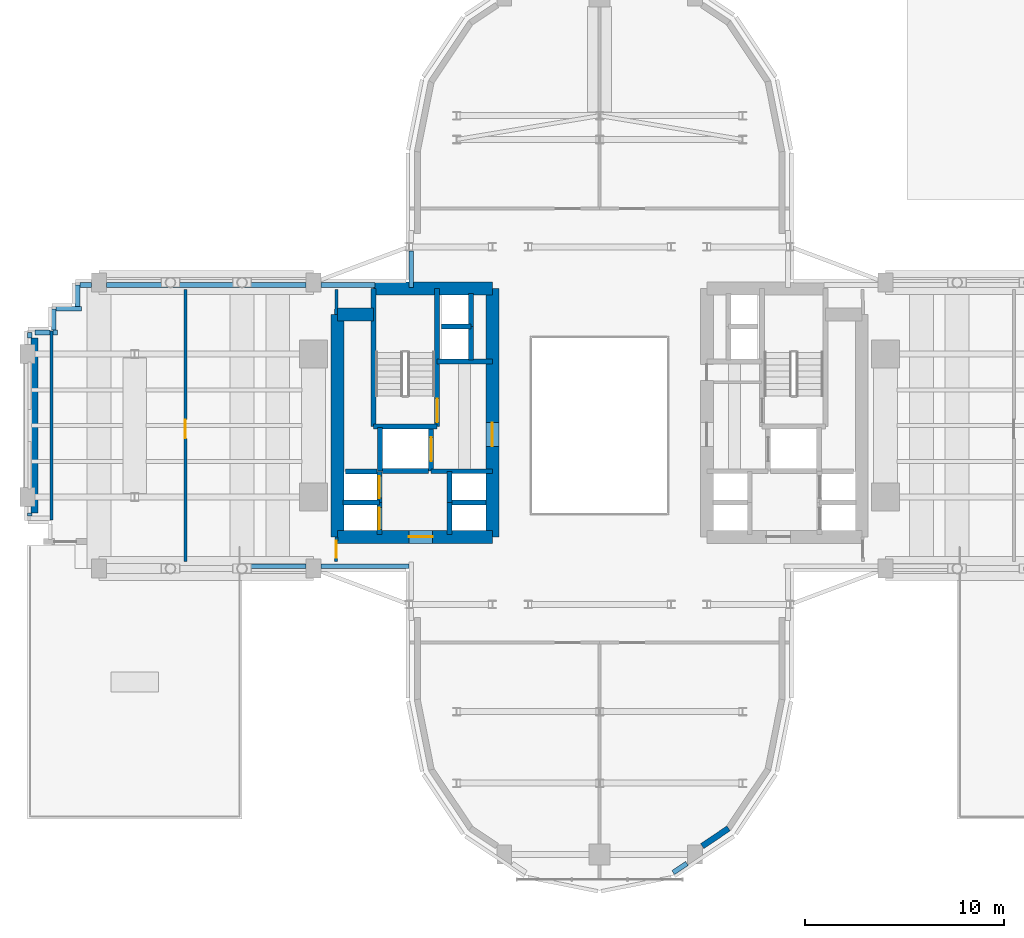
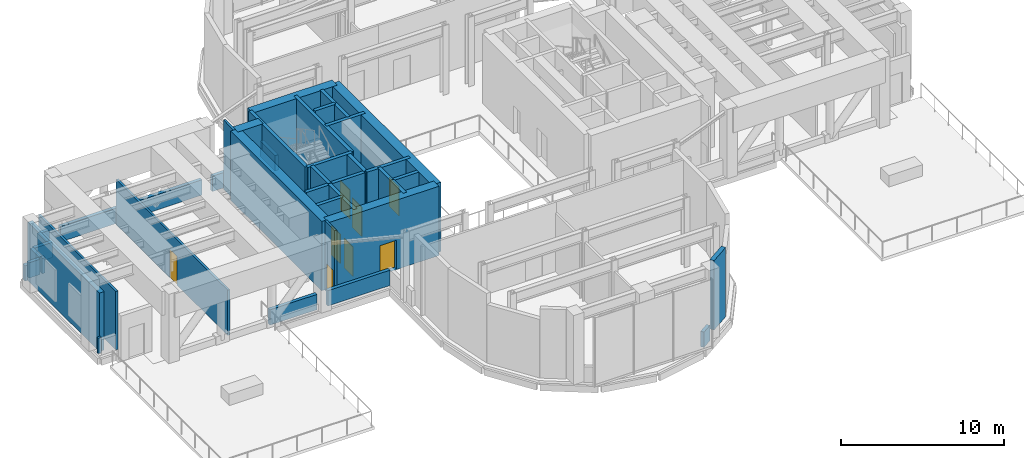
# One storey, part 9 of 16: 43 walls, 8 doors, 8 openings.
"""IFC4 building model written with IfcOpenShell, lengths in metres."""

from ifc_helpers import new_model, si_unit, direction, frame, frame_2d, origin, place, context, subcontext, project, spatial, rectangle, extrude, source, transform, mapped, material, layer, layer_set, type_object, element, fill, save


model = new_model("IFC4")

# Units and contexts
model_context = context("Model", 3, precision=1e-05, world=origin(), true_north=direction((0.0, 1.0)))
body_context = subcontext(model_context, "Body", "Model", "MODEL_VIEW")
ifc_project = project(units=[si_unit("LENGTHUNIT", "METRE"), si_unit("AREAUNIT", "SQUARE_METRE"), si_unit("VOLUMEUNIT", "CUBIC_METRE"), si_unit("PLANEANGLEUNIT", "RADIAN"), si_unit("MASSUNIT", "GRAM", prefix="KILO")], contexts=[model_context])

# Site, building, storey
site_placement = place(None, origin())
site = spatial("IfcSite", under=ifc_project, at=site_placement, CompositionType="ELEMENT")
building_placement = place(site_placement, origin())
building = spatial("IfcBuilding", under=site, at=building_placement, Name="Keilestroom Media Tower", CompositionType="ELEMENT")
storey_placement = place(building_placement, frame((0.0, 0.0, 25.199951171875)))
storey = spatial("IfcBuildingStorey", under=building, at=storey_placement, Name="L05", CompositionType="ELEMENT", Elevation=25.199951171875)

# Walls
ifc_material_1 = material(Name="Precast concrete C40/50", Category="concrete")
ifc_layer_1 = layer(ifc_material_1, 0.300048828125)
ifc_layer_set_1 = layer_set([ifc_layer_1], Name="Precast concrete C40/50")
wall_type_1 = type_object("IfcWallType", Name="Exterior-Masonry-Spandrel-Wall-300", PredefinedType="SOLIDWALL", material=ifc_layer_set_1)
wall_1_placement = place(storey_placement, frame((5.1650390625, -21.167724609375, 0.0), z_axis=(0.0, 0.0, 1.0), x_axis=(0.831440566957, 0.555613699992, 0.0)))
element("IfcWall", 1, at=wall_1_placement, inside=storey, type_object=wall_type_1, Name="L05 Plant Lobe Masonry Wall 13", PredefinedType="SOLIDWALL", context=body_context, shape_type="SweptSolid", body=[
    extrude(rectangle(XDim=1.60302734375, YDim=0.300048828125, at=frame_2d((0.801513671875, 0.0))), origin(), (0.0, 0.0, 1.0), 5.199951171875),
])
ifc_layer_2 = layer(ifc_material_1, 0.340087890625)
ifc_layer_set_2 = layer_set([ifc_layer_2], Name="Precast concrete C40/50")
wall_type_2 = type_object("IfcWallType", Name="Exterior-Masonry-Spandrel-Wall-340", PredefinedType="SOLIDWALL", material=ifc_layer_set_2)
wall_2_placement = place(storey_placement, frame((-28.449951171875, -4.39990234375, 0.0), z_axis=(0.0, 0.0, 1.0), x_axis=(0.0, 1.0, 0.0)))
element("IfcWall", 2, at=wall_2_placement, inside=storey, type_object=wall_type_2, Name="L05 Plant Masonry Screen Wall W", PredefinedType="SOLIDWALL", context=body_context, shape_type="SweptSolid", body=[
    extrude(rectangle(XDim=8.7998046875, YDim=0.340087890625, at=frame_2d((4.39990234375, 0.0))), origin(), (0.0, 0.0, 1.0), 4.385986328125),
])
ifc_material_2 = material(Name="Gypsum Plasterboard & Steel Stud", Category="steel")
ifc_layer_3 = layer(ifc_material_2, 0.14990234375)
ifc_layer_set_3 = layer_set([ifc_layer_3], Name="Gypsum Plasterboard & Steel Stud")
wall_type_3 = type_object("IfcWallType", Name="Interior-Partition-Wall-150", PredefinedType="PARTITIONING", material=ifc_layer_set_3)
wall_3_placement = place(storey_placement, frame((-27.580078125, -4.75, 0.0), z_axis=(0.0, 0.0, 1.0), x_axis=(0.0, 1.0, 0.0)))
element("IfcWall", 3, at=wall_3_placement, inside=storey, type_object=wall_type_3, Name="L05 Interior Wall WP-L05-TLNG-WW", PredefinedType="PARTITIONING", context=body_context, shape_type="SweptSolid", body=[
    extrude(rectangle(XDim=9.5, YDim=0.14990234375, at=frame_2d((4.75, 0.0))), origin(), (0.0, 0.0, 1.0), 4.385986328125),
])

# Wall, opening, door
wall_4_placement = place(storey_placement, frame((-13.260009765625, -6.85009765625, 0.0), z_axis=(0.0, 0.0, 1.0), x_axis=(0.016013571389, 0.999871774545, 0.0)))
wall_4 = element("IfcWall", 4, at=wall_4_placement, inside=storey, type_object=wall_type_3, Name="L05 Interior Wall WP-L05-REF-WE", PredefinedType="PARTITIONING", context=body_context, shape_type="SweptSolid", body=[
    extrude(rectangle(XDim=1.250244140625, YDim=0.14990234375, at=frame_2d((0.625, 0.0))), origin(), (0.0, 0.0, 1.0), 5.199951171875),
])
opening_1_placement = place(wall_4_placement, frame((0.199951171875, 0.0, 0.0)))
opening_1 = element("IfcOpeningElement", 5, at=opening_1_placement, cuts=wall_4, Name="Opening DI-05", PredefinedType="OPENING", context=body_context, shape_type="SweptSolid", body=[
    extrude(rectangle(XDim=0.85009765625, YDim=2.10009765625, at=frame_2d((0.425048828125, 1.050048828125))), frame((0.0, 0.0849609375, 0.0), z_axis=(0.0, -1.0, 0.0), x_axis=(1.0, 0.0, 0.0)), (0.0, 0.0, 1.0), 0.169921875),
])
ifc_material_3 = material(Name="Moisture-Resistant Oak Leaf", Category="wood")
door_type_1 = type_object("IfcDoorType", Name="Interior-En-Suite-And-Cupboard-Door-DI-05", OperationType="NOTDEFINED", PredefinedType="DOOR", material=ifc_material_3)
shared_shape_1 = source(origin(), body_context, "Body", "SweptSolid", [
    extrude(rectangle(XDim=0.85009765625, YDim=2.10009765625, at=frame_2d((0.425048828125, 1.050048828125))), frame((0.0, 0.02490234375, 0.0), z_axis=(0.0, -1.0, 0.0), x_axis=(1.0, 0.0, 0.0)), (0.0, 0.0, 1.0), 0.050048828125),
])
door_1_placement = place(opening_1_placement, origin())
door_1 = element("IfcDoor", 6, at=door_1_placement, inside=storey, type_object=door_type_1, Name="L05 Interior Door DI-L05-DRF-WS", OperationType="SINGLE_SWING_RIGHT", OverallHeight=2.10009765625, OverallWidth=0.85009765625, PredefinedType="DOOR", context=body_context, shape_type="MappedRepresentation", body=[
    mapped(shared_shape_1, transform((0.0, 0.0, 0.0), x_axis=(1.0, 0.0, 0.0), y_axis=(0.0, 1.0, 0.0), z_axis=(0.0, 0.0, 1.0), scale=1.0)),
])
fill(opening_1, door_1)

# Wall
wall_5_placement = place(storey_placement, frame((-13.260009765625, 5.60009765625, 0.0), z_axis=(0.0, 0.0, 1.0), x_axis=(0.016013571389, 0.999871774545, 0.0)))
element("IfcWall", 7, at=wall_5_placement, inside=storey, type_object=wall_type_3, Name="L05 Interior Wall WP-L05-REF-WNK", PredefinedType="PARTITIONING", context=body_context, shape_type="SweptSolid", body=[
    extrude(rectangle(XDim=1.250244140625, YDim=0.14990234375, at=frame_2d((0.625, 0.0))), origin(), (0.0, 0.0, 1.0), 5.199951171875),
])

# Wall, opening, door
wall_6_placement = place(storey_placement, frame((-20.85009765625, -6.85009765625, 0.0), z_axis=(0.0, 0.0, 1.0), x_axis=(0.0, 1.0, 0.0)))
wall_6 = element("IfcWall", 8, at=wall_6_placement, inside=storey, type_object=wall_type_3, Name="L05 Interior Wall WP-L05-REF-WW", PredefinedType="PARTITIONING", context=body_context, shape_type="SweptSolid", body=[
    extrude(rectangle(XDim=13.7001953125, YDim=0.14990234375, at=frame_2d((6.85009765625, 0.0))), origin(), (0.0, 0.0, 1.0), 3.400146484375),
])
opening_2_placement = place(wall_6_placement, frame((6.199951171875, 0.0, 0.0)))
opening_2 = element("IfcOpeningElement", 9, at=opening_2_placement, cuts=wall_6, Name="Opening DI-03", PredefinedType="OPENING", context=body_context, shape_type="SweptSolid", body=[
    extrude(rectangle(XDim=0.949951171875, YDim=2.14990234375, at=frame_2d((0.47509765625, 1.074951171875))), frame((0.0, 0.0849609375, 0.0), z_axis=(0.0, -1.0, 0.0), x_axis=(1.0, 0.0, 0.0)), (0.0, 0.0, 1.0), 0.169921875),
])
ifc_material_4 = material(Name="Lacquered European Oak Leaf", Category="wood")
door_type_2 = type_object("IfcDoorType", Name="Interior-Room-And-Suite-Door-DI-03", OperationType="NOTDEFINED", PredefinedType="DOOR", material=ifc_material_4)
shared_shape_2 = source(origin(), body_context, "Body", "SweptSolid", [
    extrude(rectangle(XDim=0.949951171875, YDim=2.14990234375, at=frame_2d((0.47509765625, 1.074951171875))), frame((0.0, 0.02490234375, 0.0), z_axis=(0.0, -1.0, 0.0), x_axis=(1.0, 0.0, 0.0)), (0.0, 0.0, 1.0), 0.050048828125),
])
door_2_placement = place(opening_2_placement, origin())
door_2 = element("IfcDoor", 10, at=door_2_placement, inside=storey, type_object=door_type_2, Name="L05 Interior Door DI-L05-DTLNG-SW", OperationType="SINGLE_SWING_RIGHT", OverallHeight=2.14990234375, OverallWidth=0.949951171875, PredefinedType="DOOR", context=body_context, shape_type="MappedRepresentation", body=[
    mapped(shared_shape_2, transform((0.0, 0.0, 0.0), x_axis=(1.0, 0.0, 0.0), y_axis=(0.0, 1.0, 0.0), z_axis=(0.0, 0.0, 1.0), scale=1.0)),
])
fill(opening_2, door_2)

# Wall
ifc_material_5 = material(Name="Concrete C70/85", Category="concrete")
ifc_layer_4 = layer(ifc_material_5, 0.64990234375)
ifc_layer_set_4 = layer_set([ifc_layer_4], Name="Concrete C70/85")
wall_type_4 = type_object("IfcWallType", Name="Reinforced-Concrete-Core-Shear-Wall-650", PredefinedType="SHEAR", material=ifc_layer_set_4)
wall_7_placement = place(storey_placement, frame((-13.199951171875, -5.60009765625, 0.0), z_axis=(0.0, 0.0, 1.0), x_axis=(0.0, 1.0, 0.0)))
element("IfcWall", 11, at=wall_7_placement, inside=storey, type_object=wall_type_4, Name="L05 Core Shear Wall WL-L05-CORE-W-OUT", PredefinedType="SHEAR", context=body_context, shape_type="SweptSolid", body=[
    extrude(rectangle(XDim=11.2001953125, YDim=0.64990234375, at=frame_2d((5.60009765625, 0.0))), origin(), (0.0, 0.0, 1.0), 5.199951171875),
])

# Wall, opening, door
wall_8_placement = place(storey_placement, frame((-5.39990234375, -5.60009765625, 0.0), z_axis=(0.0, 0.0, 1.0), x_axis=(0.0, 1.0, 0.0)))
wall_8 = element("IfcWall", 12, at=wall_8_placement, inside=storey, type_object=wall_type_4, Name="L05 Core Shear Wall WL-L05-CORE-W-IN", PredefinedType="SHEAR", context=body_context, shape_type="SweptSolid", body=[
    extrude(rectangle(XDim=12.5, YDim=0.64990234375, at=frame_2d((6.25, 0.0))), origin(), (0.0, 0.0, 1.0), 5.199951171875),
])
opening_3_placement = place(wall_8_placement, frame((4.550048828125, 0.0, 0.0)))
opening_3 = element("IfcOpeningElement", 13, at=opening_3_placement, cuts=wall_8, Name="Opening DI-02", PredefinedType="OPENING", context=body_context, shape_type="SweptSolid", body=[
    extrude(rectangle(XDim=1.199951171875, YDim=2.199951171875, at=frame_2d((0.60009765625, 1.10009765625))), frame((0.0, 0.3349609375, 0.0), z_axis=(0.0, -1.0, 0.0), x_axis=(1.0, 0.0, 0.0)), (0.0, 0.0, 1.0), 0.669921875),
])
ifc_material_6 = material(Name="Powder-Coated Steel Fire Leaf", Category="steel")
door_type_3 = type_object("IfcDoorType", Name="Interior-Compartment-Fire-Door-DI-02", OperationType="NOTDEFINED", PredefinedType="DOOR", material=ifc_material_6)
shared_shape_3 = source(origin(), body_context, "Body", "SweptSolid", [
    extrude(rectangle(XDim=1.199951171875, YDim=2.199951171875, at=frame_2d((0.60009765625, 1.10009765625))), frame((0.0, 0.02490234375, 0.0), z_axis=(0.0, -1.0, 0.0), x_axis=(1.0, 0.0, 0.0)), (0.0, 0.0, 1.0), 0.050048828125),
])
door_3_placement = place(opening_3_placement, origin())
door_3 = element("IfcDoor", 14, at=door_3_placement, inside=storey, type_object=door_type_3, Name="L05 W Firefighting Lobby Door", OperationType="SINGLE_SWING_RIGHT", OverallHeight=2.199951171875, OverallWidth=1.199951171875, PredefinedType="DOOR", context=body_context, shape_type="MappedRepresentation", body=[
    mapped(shared_shape_3, transform((0.0, 0.0, 0.0), x_axis=(1.0, 0.0, 0.0), y_axis=(0.0, 1.0, 0.0), z_axis=(0.0, 0.0, 1.0), scale=1.0)),
])
fill(opening_3, door_3)

# Walls
wall_9_placement = place(storey_placement, frame((-11.381103515625, 6.89990234375, 0.0), z_axis=(0.0, 0.0, 1.0), x_axis=(1.0, 0.0, 0.0)))
element("IfcWall", 15, at=wall_9_placement, inside=storey, type_object=wall_type_4, Name="L05 Core Shear Wall WL-L05-CORE-W-N", PredefinedType="SHEAR", context=body_context, shape_type="SweptSolid", body=[
    extrude(rectangle(XDim=5.981201171875, YDim=0.64990234375, at=frame_2d((2.99072265625, 0.0))), origin(), (0.0, 0.0, 1.0), 5.199951171875),
])
wall_10_placement = place(storey_placement, frame((-13.199951171875, 5.60009765625, 0.0), z_axis=(0.0, 0.0, 1.0), x_axis=(1.0, 0.0, 0.0)))
element("IfcWall", 16, at=wall_10_placement, inside=storey, type_object=wall_type_4, Name="L05 Core Shear Wall WL-L05-CNW-N", PredefinedType="SHEAR", context=body_context, shape_type="SweptSolid", body=[
    extrude(rectangle(XDim=1.81884765625, YDim=0.64990234375, at=frame_2d((0.909423828125, 0.0))), origin(), (0.0, 0.0, 1.0), 5.199951171875),
])

# Wall, opening, door
wall_11_placement = place(storey_placement, frame((-13.199951171875, -5.60009765625, 0.0), z_axis=(0.0, 0.0, 1.0), x_axis=(1.0, 0.0, 0.0)))
wall_11 = element("IfcWall", 17, at=wall_11_placement, inside=storey, type_object=wall_type_4, Name="L05 Core Shear Wall WL-L05-CORE-W-S", PredefinedType="SHEAR", context=body_context, shape_type="SweptSolid", body=[
    extrude(rectangle(XDim=7.800048828125, YDim=0.64990234375, at=frame_2d((3.89990234375, 0.0))), origin(), (0.0, 0.0, 1.0), 5.199951171875),
])
opening_4_placement = place(wall_11_placement, frame((3.60009765625, 0.0, 0.0)))
opening_4 = element("IfcOpeningElement", 18, at=opening_4_placement, cuts=wall_11, Name="Opening DI-02", PredefinedType="OPENING", context=body_context, shape_type="SweptSolid", body=[
    extrude(rectangle(XDim=1.199951171875, YDim=2.199951171875, at=frame_2d((0.60009765625, 1.10009765625))), frame((0.0, 0.3349609375, 0.0), z_axis=(0.0, -1.0, 0.0), x_axis=(1.0, 0.0, 0.0)), (0.0, 0.0, 1.0), 0.669921875),
])
door_4_placement = place(opening_4_placement, origin())
door_4 = element("IfcDoor", 19, at=door_4_placement, inside=storey, type_object=door_type_3, Name="L05 W Passenger Lift Lobby Door", OperationType="SINGLE_SWING_LEFT", OverallHeight=2.199951171875, OverallWidth=1.199951171875, PredefinedType="DOOR", context=body_context, shape_type="MappedRepresentation", body=[
    mapped(shared_shape_3, transform((0.0, 0.0, 0.0), x_axis=(1.0, 0.0, 0.0), y_axis=(0.0, 1.0, 0.0), z_axis=(0.0, 0.0, 1.0), scale=1.0)),
])
fill(opening_4, door_4)

# Walls
ifc_material_7 = material(Name="Concrete C50/60", Category="concrete")
ifc_layer_5 = layer(ifc_material_7, 0.25)
ifc_layer_set_5 = layer_set([ifc_layer_5], Name="Concrete C50/60")
wall_type_5 = type_object("IfcWallType", Name="Reinforced-Concrete-Shaft-Wall-250", PredefinedType="SOLIDWALL", material=ifc_layer_set_5)
wall_12_placement = place(storey_placement, frame((-8.179931640625, 3.219970703125, 0.0), z_axis=(0.0, 0.0, 1.0), x_axis=(1.0, 0.0, 0.0)))
element("IfcWall", 20, at=wall_12_placement, inside=storey, type_object=wall_type_5, Name="L05 Core Shear Wall WL-L05-CORE-W-FFN", PredefinedType="SOLIDWALL", context=body_context, shape_type="SweptSolid", body=[
    extrude(rectangle(XDim=2.780029296875, YDim=0.25, at=frame_2d((1.39013671875, 0.0))), origin(), (0.0, 0.0, 1.0), 5.199951171875),
])
wall_13_placement = place(storey_placement, frame((-8.47998046875, -2.300048828125, 0.0), z_axis=(0.0, 0.0, 1.0), x_axis=(1.0, 0.0, 0.0)))
element("IfcWall", 21, at=wall_13_placement, inside=storey, type_object=wall_type_5, Name="L05 Core Shear Wall WL-L05-CORE-W-FFS", PredefinedType="SOLIDWALL", context=body_context, shape_type="SweptSolid", body=[
    extrude(rectangle(XDim=3.080078125, YDim=0.25, at=frame_2d((1.5400390625, 0.0))), origin(), (0.0, 0.0, 1.0), 5.199951171875),
])

# Wall, opening, door
wall_14_placement = place(storey_placement, frame((-8.178955078125, -0.041015625, 0.0), z_axis=(0.0, 0.0, 1.0), x_axis=(0.0, 1.0, 0.0)))
wall_14 = element("IfcWall", 22, at=wall_14_placement, inside=storey, type_object=wall_type_5, Name="L05 Core Shear Wall WL-L05-STW-W-NEAR", PredefinedType="SOLIDWALL", context=body_context, shape_type="SweptSolid", body=[
    extrude(rectangle(XDim=6.94091796875, YDim=0.25, at=frame_2d((3.470458984375, 0.0))), origin(), (0.0, 0.0, 1.0), 5.199951171875),
])
opening_5_placement = place(wall_14_placement, frame((0.199951171875, 0.0, 0.0)))
opening_5 = element("IfcOpeningElement", 23, at=opening_5_placement, cuts=wall_14, Name="Opening DI-01S", PredefinedType="OPENING", context=body_context, shape_type="SweptSolid", body=[
    extrude(rectangle(XDim=1.199951171875, YDim=2.199951171875, at=frame_2d((0.60009765625, 1.10009765625))), frame((0.0, 0.135009765625, 0.0), z_axis=(0.0, -1.0, 0.0), x_axis=(1.0, 0.0, 0.0)), (0.0, 0.0, 1.0), 0.27001953125),
])
door_type_4 = type_object("IfcDoorType", Name="Interior-Stair-And-Core-Fire-Door-DI-01", OperationType="NOTDEFINED", PredefinedType="DOOR", material=ifc_material_6)
door_5_placement = place(opening_5_placement, origin())
door_5 = element("IfcDoor", 24, at=door_5_placement, inside=storey, type_object=door_type_4, Name="L05 Escape Stair ST-1 Fire Door", OperationType="SINGLE_SWING_LEFT", OverallHeight=2.199951171875, OverallWidth=1.199951171875, PredefinedType="DOOR", context=body_context, shape_type="MappedRepresentation", body=[
    mapped(shared_shape_3, transform((0.0, 0.0, 0.0), x_axis=(1.0, 0.0, 0.0), y_axis=(0.0, 1.0, 0.0), z_axis=(0.0, 0.0, 1.0), scale=1.0)),
])
fill(opening_5, door_5)

# Walls
wall_15_placement = place(storey_placement, frame((-11.381103515625, -0.041015625, 0.0), z_axis=(0.0, 0.0, 1.0), x_axis=(0.0, 1.0, 0.0)))
element("IfcWall", 25, at=wall_15_placement, inside=storey, type_object=wall_type_5, Name="L05 Core Shear Wall WL-L05-STW-W-FAR", PredefinedType="SOLIDWALL", context=body_context, shape_type="SweptSolid", body=[
    extrude(rectangle(XDim=6.94091796875, YDim=0.25, at=frame_2d((3.470458984375, 0.0))), origin(), (0.0, 0.0, 1.0), 5.199951171875),
])
wall_16_placement = place(storey_placement, frame((-11.381103515625, -0.041015625, 0.0), z_axis=(0.0, 0.0, 1.0), x_axis=(1.0, 0.0, 0.0)))
element("IfcWall", 26, at=wall_16_placement, inside=storey, type_object=wall_type_5, Name="L05 Core Shear Wall WL-L05-STW-W-S", PredefinedType="SOLIDWALL", context=body_context, shape_type="SweptSolid", body=[
    extrude(rectangle(XDim=3.2021484375, YDim=0.25, at=frame_2d((1.60107421875, 0.0))), origin(), (0.0, 0.0, 1.0), 5.199951171875),
])
wall_17_placement = place(storey_placement, frame((-11.050048828125, -2.280029296875, 0.0), z_axis=(0.0, 0.0, 1.0), x_axis=(0.0, 1.0, 0.0)))
element("IfcWall", 27, at=wall_17_placement, inside=storey, type_object=wall_type_5, Name="L05 Core Shear Wall WL-L05-LSH-FFL-1-W", PredefinedType="SOLIDWALL", context=body_context, shape_type="SweptSolid", body=[
    extrude(rectangle(XDim=2.179931640625, YDim=0.25, at=frame_2d((1.08984375, 0.0))), origin(), (0.0, 0.0, 1.0), 5.199951171875),
])

# Wall, opening, door
wall_18_placement = place(storey_placement, frame((-8.47998046875, -2.280029296875, 0.0), z_axis=(0.0, 0.0, 1.0), x_axis=(0.0, 1.0, 0.0)))
wall_18 = element("IfcWall", 28, at=wall_18_placement, inside=storey, type_object=wall_type_5, Name="L05 Core Shear Wall WL-L05-LSH-FFL-1-E", PredefinedType="SOLIDWALL", context=body_context, shape_type="SweptSolid", body=[
    extrude(rectangle(XDim=2.179931640625, YDim=0.25, at=frame_2d((1.08984375, 0.0))), origin(), (0.0, 0.0, 1.0), 5.199951171875),
])
opening_6_placement = place(wall_18_placement, frame((0.489990234375, 0.0, 0.0)))
opening_6 = element("IfcOpeningElement", 29, at=opening_6_placement, cuts=wall_18, Name="Opening LD-02", PredefinedType="OPENING", context=body_context, shape_type="SweptSolid", body=[
    extrude(rectangle(XDim=1.199951171875, YDim=2.199951171875, at=frame_2d((0.60009765625, 1.10009765625))), frame((0.0, 0.135009765625, 0.0), z_axis=(0.0, -1.0, 0.0), x_axis=(1.0, 0.0, 0.0)), (0.0, 0.0, 1.0), 0.27001953125),
])
ifc_material_8 = material(Name="Brushed Stainless Steel Sliding Leaf", Category="steel")
door_type_5 = type_object("IfcDoorType", Name="Lift-Landing-Sliding-Door-LD-02", OperationType="SLIDING_TO_RIGHT", PredefinedType="DOOR", material=ifc_material_8)
door_6_placement = place(opening_6_placement, origin())
door_6 = element("IfcDoor", 30, at=door_6_placement, inside=storey, type_object=door_type_5, Name="L05 Lift FFL-1 Landing Sliding Door", OperationType="SLIDING_TO_RIGHT", OverallHeight=2.199951171875, OverallWidth=1.199951171875, PredefinedType="DOOR", context=body_context, shape_type="MappedRepresentation", body=[
    mapped(shared_shape_3, transform((0.0, 0.0, 0.0), x_axis=(1.0, 0.0, 0.0), y_axis=(0.0, 1.0, 0.0), z_axis=(0.0, 0.0, 1.0), scale=1.0)),
])
fill(opening_6, door_6)

# Wall
wall_19_placement = place(storey_placement, frame((-10.9208984375, -2.280029296875, 0.0), z_axis=(0.0, 0.0, 1.0), x_axis=(1.0, 0.0, 0.0)))
element("IfcWall", 31, at=wall_19_placement, inside=storey, type_object=wall_type_5, Name="L05 Core Shear Wall WL-L05-LSH-FFL-1-S", PredefinedType="SOLIDWALL", context=body_context, shape_type="SweptSolid", body=[
    extrude(rectangle(XDim=2.31201171875, YDim=0.25, at=frame_2d((1.156005859375, 0.0))), origin(), (0.0, 0.0, 1.0), 5.199951171875),
])

# Wall, opening, door
wall_20_placement = place(storey_placement, frame((-11.080078125, -5.47998046875, 0.0), z_axis=(0.0, 0.0, 1.0), x_axis=(0.0, 1.0, 0.0)))
wall_20 = element("IfcWall", 32, at=wall_20_placement, inside=storey, type_object=wall_type_5, Name="L05 Core Shear Wall WL-L05-LSH-PL-L1-E", PredefinedType="SOLIDWALL", context=body_context, shape_type="SweptSolid", body=[
    extrude(rectangle(XDim=1.60009765625, YDim=0.25, at=frame_2d((0.800048828125, 0.0))), origin(), (0.0, 0.0, 1.0), 5.199951171875),
])
opening_7_placement = place(wall_20_placement, frame((0.25, 0.0, 0.0)))
opening_7 = element("IfcOpeningElement", 33, at=opening_7_placement, cuts=wall_20, Name="Opening LD-01", PredefinedType="OPENING", context=body_context, shape_type="SweptSolid", body=[
    extrude(rectangle(XDim=1.10009765625, YDim=2.199951171875, at=frame_2d((0.550048828125, 1.10009765625))), frame((0.0, 0.135009765625, 0.0), z_axis=(0.0, -1.0, 0.0), x_axis=(1.0, 0.0, 0.0)), (0.0, 0.0, 1.0), 0.27001953125),
])
door_type_6 = type_object("IfcDoorType", Name="Lift-Landing-Sliding-Door-LD-01", OperationType="SLIDING_TO_LEFT", PredefinedType="DOOR", material=ifc_material_8)
shared_shape_4 = source(origin(), body_context, "Body", "SweptSolid", [
    extrude(rectangle(XDim=1.10009765625, YDim=2.199951171875, at=frame_2d((0.550048828125, 1.10009765625))), frame((0.0, 0.02490234375, 0.0), z_axis=(0.0, -1.0, 0.0), x_axis=(1.0, 0.0, 0.0)), (0.0, 0.0, 1.0), 0.050048828125),
])
door_7_placement = place(opening_7_placement, origin())
door_7 = element("IfcDoor", 34, at=door_7_placement, inside=storey, type_object=door_type_6, Name="L05 Lift PL-L1 Landing Sliding Door", OperationType="SLIDING_TO_LEFT", OverallHeight=2.199951171875, OverallWidth=1.10009765625, PredefinedType="DOOR", context=body_context, shape_type="MappedRepresentation", body=[
    mapped(shared_shape_4, transform((0.0, 0.0, 0.0), x_axis=(1.0, 0.0, 0.0), y_axis=(0.0, 1.0, 0.0), z_axis=(0.0, 0.0, 1.0), scale=1.0)),
])
fill(opening_7, door_7)

# Wall
wall_21_placement = place(storey_placement, frame((-12.919921875, -3.8798828125, 0.0), z_axis=(0.0, 0.0, 1.0), x_axis=(1.0, 0.0, 0.0)))
element("IfcWall", 35, at=wall_21_placement, inside=storey, type_object=wall_type_5, Name="L05 Core Shear Wall WL-L05-LSH-PL-L1-N", PredefinedType="SOLIDWALL", context=body_context, shape_type="SweptSolid", body=[
    extrude(rectangle(XDim=1.83984375, YDim=0.25, at=frame_2d((0.919921875, 0.0))), origin(), (0.0, 0.0, 1.0), 5.199951171875),
])

# Wall, opening, door
wall_22_placement = place(storey_placement, frame((-11.080078125, -3.8798828125, 0.0), z_axis=(0.0, 0.0, 1.0), x_axis=(0.0, 1.0, 0.0)))
wall_22 = element("IfcWall", 36, at=wall_22_placement, inside=storey, type_object=wall_type_5, Name="L05 Core Shear Wall WL-L05-LSH-PL-L2-E", PredefinedType="SOLIDWALL", context=body_context, shape_type="SweptSolid", body=[
    extrude(rectangle(XDim=1.559814453125, YDim=0.25, at=frame_2d((0.77978515625, 0.0))), origin(), (0.0, 0.0, 1.0), 5.199951171875),
])
opening_8_placement = place(wall_22_placement, frame((0.22998046875, 0.0, 0.0)))
opening_8 = element("IfcOpeningElement", 37, at=opening_8_placement, cuts=wall_22, Name="Opening LD-01", PredefinedType="OPENING", context=body_context, shape_type="SweptSolid", body=[
    extrude(rectangle(XDim=1.10009765625, YDim=2.199951171875, at=frame_2d((0.550048828125, 1.10009765625))), frame((0.0, 0.135009765625, 0.0), z_axis=(0.0, -1.0, 0.0), x_axis=(1.0, 0.0, 0.0)), (0.0, 0.0, 1.0), 0.27001953125),
])
door_8_placement = place(opening_8_placement, origin())
door_8 = element("IfcDoor", 38, at=door_8_placement, inside=storey, type_object=door_type_6, Name="L05 Lift PL-L2 Landing Sliding Door", OperationType="SLIDING_TO_LEFT", OverallHeight=2.199951171875, OverallWidth=1.10009765625, PredefinedType="DOOR", context=body_context, shape_type="MappedRepresentation", body=[
    mapped(shared_shape_4, transform((0.0, 0.0, 0.0), x_axis=(1.0, 0.0, 0.0), y_axis=(0.0, 1.0, 0.0), z_axis=(0.0, 0.0, 1.0), scale=1.0)),
])
fill(opening_8, door_8)

# Walls
wall_23_placement = place(storey_placement, frame((-12.791015625, -2.320068359375, 0.0), z_axis=(0.0, 0.0, 1.0), x_axis=(1.0, 0.0, 0.0)))
element("IfcWall", 39, at=wall_23_placement, inside=storey, type_object=wall_type_5, Name="L05 Core Shear Wall WL-L05-LSH-PL-L2-N", PredefinedType="SOLIDWALL", context=body_context, shape_type="SweptSolid", body=[
    extrude(rectangle(XDim=1.58203125, YDim=0.25, at=frame_2d((0.791015625, 0.0))), origin(), (0.0, 0.0, 1.0), 5.199951171875),
])
wall_24_placement = place(storey_placement, frame((-7.56005859375, -5.47998046875, 0.0), z_axis=(0.0, 0.0, 1.0), x_axis=(0.0, 1.0, 0.0)))
element("IfcWall", 40, at=wall_24_placement, inside=storey, type_object=wall_type_5, Name="L05 Core Shear Wall WL-L05-LSH-PL-M1-W", PredefinedType="SOLIDWALL", context=body_context, shape_type="SweptSolid", body=[
    extrude(rectangle(XDim=1.60009765625, YDim=0.25, at=frame_2d((0.800048828125, 0.0))), origin(), (0.0, 0.0, 1.0), 5.199951171875),
])
wall_25_placement = place(storey_placement, frame((-7.56005859375, -3.8798828125, 0.0), z_axis=(0.0, 0.0, 1.0), x_axis=(1.0, 0.0, 0.0)))
element("IfcWall", 41, at=wall_25_placement, inside=storey, type_object=wall_type_5, Name="L05 Core Shear Wall WL-L05-LSH-PL-M1-N", PredefinedType="SOLIDWALL", context=body_context, shape_type="SweptSolid", body=[
    extrude(rectangle(XDim=1.840087890625, YDim=0.25, at=frame_2d((0.919921875, 0.0))), origin(), (0.0, 0.0, 1.0), 5.199951171875),
])
wall_26_placement = place(storey_placement, frame((-7.56005859375, -3.8798828125, 0.0), z_axis=(0.0, 0.0, 1.0), x_axis=(0.0, 1.0, 0.0)))
element("IfcWall", 42, at=wall_26_placement, inside=storey, type_object=wall_type_5, Name="L05 Core Shear Wall WL-L05-LSH-PL-M2-W", PredefinedType="SOLIDWALL", context=body_context, shape_type="SweptSolid", body=[
    extrude(rectangle(XDim=1.559814453125, YDim=0.25, at=frame_2d((0.77978515625, 0.0))), origin(), (0.0, 0.0, 1.0), 5.199951171875),
])
wall_27_placement = place(storey_placement, frame((-6.47998046875, 3.300048828125, 0.0), z_axis=(0.0, 0.0, 1.0), x_axis=(0.0, 1.0, 0.0)))
element("IfcWall", 43, at=wall_27_placement, inside=storey, type_object=wall_type_5, Name="L05 Core Shear Wall WL-L05-LSH-PL-H1-E", PredefinedType="SOLIDWALL", context=body_context, shape_type="SweptSolid", body=[
    extrude(rectangle(XDim=1.679931640625, YDim=0.25, at=frame_2d((0.83984375, 0.0))), origin(), (0.0, 0.0, 1.0), 5.199951171875),
])
wall_28_placement = place(storey_placement, frame((-7.949951171875, 4.97998046875, 0.0), z_axis=(0.0, 0.0, 1.0), x_axis=(1.0, 0.0, 0.0)))
element("IfcWall", 44, at=wall_28_placement, inside=storey, type_object=wall_type_5, Name="L05 Core Shear Wall WL-L05-LSH-PL-H1-N", PredefinedType="SOLIDWALL", context=body_context, shape_type="SweptSolid", body=[
    extrude(rectangle(XDim=1.469970703125, YDim=0.25, at=frame_2d((0.73486328125, 0.0))), origin(), (0.0, 0.0, 1.0), 5.199951171875),
])
wall_29_placement = place(storey_placement, frame((-6.47998046875, 4.97998046875, 0.0), z_axis=(0.0, 0.0, 1.0), x_axis=(0.0, 1.0, 0.0)))
element("IfcWall", 45, at=wall_29_placement, inside=storey, type_object=wall_type_5, Name="L05 Core Shear Wall WL-L05-LSH-PL-H2-E", PredefinedType="SOLIDWALL", context=body_context, shape_type="SweptSolid", body=[
    extrude(rectangle(XDim=1.669921875, YDim=0.25, at=frame_2d((0.8349609375, 0.0))), origin(), (0.0, 0.0, 1.0), 5.199951171875),
])
ifc_layer_6 = layer(ifc_material_1, 0.239990234375)
ifc_layer_set_6 = layer_set([ifc_layer_6], Name="Precast concrete C40/50")
wall_type_6 = type_object("IfcWallType", Name="Roof-And-Terrace-Parapet-Wall-240", PredefinedType="PARAPET", material=ifc_layer_set_6)
wall_30_placement = place(storey_placement, frame((4.3984375, -22.040771484375, 0.0), z_axis=(0.0, 0.0, 1.0), x_axis=(-0.831598418809, -0.555377412067, 0.0)))
element("IfcWall", 46, at=wall_30_placement, inside=storey, type_object=wall_type_6, Name="L05 Perimeter Edge Parapet Wall 06", PredefinedType="PARAPET", context=body_context, shape_type="SweptSolid", body=[
    extrude(rectangle(XDim=0.831787109375, YDim=0.239990234375, at=frame_2d((0.416015625, 0.0))), origin(), (0.0, 0.0, 1.0), 1.150146484375),
])
wall_31_placement = place(storey_placement, frame((-9.60302734375, -7.080078125, 0.0), z_axis=(0.0, 0.0, 1.0), x_axis=(-1.0, 0.0, 0.0)))
element("IfcWall", 47, at=wall_31_placement, inside=storey, type_object=wall_type_6, Name="L05 Perimeter Edge Parapet Wall 10", PredefinedType="PARAPET", context=body_context, shape_type="SweptSolid", body=[
    extrude(rectangle(XDim=4.4189453125, YDim=0.239990234375, at=frame_2d((2.20947265625, 0.0))), origin(), (0.0, 0.0, 1.0), 1.150146484375),
])
wall_32_placement = place(storey_placement, frame((-14.778076171875, -7.080078125, 0.0), z_axis=(0.0, 0.0, 1.0), x_axis=(-1.0, 0.0, 0.0)))
element("IfcWall", 48, at=wall_32_placement, inside=storey, type_object=wall_type_6, Name="L05 Perimeter Edge Parapet Wall 11", PredefinedType="PARAPET", context=body_context, shape_type="SweptSolid", body=[
    extrude(rectangle(XDim=3.34130859375, YDim=0.239990234375, at=frame_2d((1.670654296875, 0.0))), origin(), (0.0, 0.0, 1.0), 1.150146484375),
])
wall_33_placement = place(storey_placement, frame((-28.679931640625, -4.556884765625, 0.0), z_axis=(0.0, 0.0, 1.0), x_axis=(0.0, 1.0, 0.0)))
element("IfcWall", 49, at=wall_33_placement, inside=storey, type_object=wall_type_6, Name="L05 Perimeter Edge Parapet Wall 13", PredefinedType="PARAPET", context=body_context, shape_type="SweptSolid", body=[
    extrude(rectangle(XDim=0.15380859375, YDim=0.239990234375, at=frame_2d((0.076904296875, 0.0))), origin(), (0.0, 0.0, 1.0), 1.150146484375),
])
wall_34_placement = place(storey_placement, frame((-28.679931640625, 4.403076171875, 0.0), z_axis=(0.0, 0.0, 1.0), x_axis=(0.0, 1.0, 0.0)))
element("IfcWall", 50, at=wall_34_placement, inside=storey, type_object=wall_type_6, Name="L05 Perimeter Edge Parapet Wall 14", PredefinedType="PARAPET", context=body_context, shape_type="SweptSolid", body=[
    extrude(rectangle(XDim=0.27685546875, YDim=0.239990234375, at=frame_2d((0.138427734375, 0.0))), origin(), (0.0, 0.0, 1.0), 1.150146484375),
])
wall_35_placement = place(storey_placement, frame((-28.43115234375, 4.679931640625, 0.0), z_axis=(0.0, 0.0, 1.0), x_axis=(1.0, 0.0, 0.0)))
element("IfcWall", 51, at=wall_35_placement, inside=storey, type_object=wall_type_6, Name="L05 Perimeter Edge Parapet Wall 15", PredefinedType="PARAPET", context=body_context, shape_type="SweptSolid", body=[
    extrude(rectangle(XDim=0.773193359375, YDim=0.239990234375, at=frame_2d((0.38671875, 0.0))), origin(), (0.0, 0.0, 1.0), 1.150146484375),
])
wall_36_placement = place(storey_placement, frame((-27.501953125, 4.679931640625, 0.0), z_axis=(0.0, 0.0, 1.0), x_axis=(1.0, 0.0, 0.0)))
element("IfcWall", 52, at=wall_36_placement, inside=storey, type_object=wall_type_6, Name="L05 Perimeter Edge Parapet Wall 16", PredefinedType="PARAPET", context=body_context, shape_type="SweptSolid", body=[
    extrude(rectangle(XDim=0.221923828125, YDim=0.239990234375, at=frame_2d((0.11083984375, 0.0))), origin(), (0.0, 0.0, 1.0), 1.150146484375),
])
wall_37_placement = place(storey_placement, frame((-27.47998046875, 4.802978515625, 0.0), z_axis=(0.0, 0.0, 1.0), x_axis=(0.0, 1.0, 0.0)))
element("IfcWall", 53, at=wall_37_placement, inside=storey, type_object=wall_type_6, Name="L05 Perimeter Edge Parapet Wall 17", PredefinedType="PARAPET", context=body_context, shape_type="SweptSolid", body=[
    extrude(rectangle(XDim=1.076904296875, YDim=0.239990234375, at=frame_2d((0.53857421875, 0.0))), origin(), (0.0, 0.0, 1.0), 1.150146484375),
])
wall_38_placement = place(storey_placement, frame((-27.35693359375, 5.8798828125, 0.0), z_axis=(0.0, 0.0, 1.0), x_axis=(1.0, 0.0, 0.0)))
element("IfcWall", 54, at=wall_38_placement, inside=storey, type_object=wall_type_6, Name="L05 Perimeter Edge Parapet Wall 18", PredefinedType="PARAPET", context=body_context, shape_type="SweptSolid", body=[
    extrude(rectangle(XDim=1.27685546875, YDim=0.239990234375, at=frame_2d((0.638427734375, 0.0))), origin(), (0.0, 0.0, 1.0), 1.150146484375),
])
wall_39_placement = place(storey_placement, frame((-26.280029296875, 6.0029296875, 0.0), z_axis=(0.0, 0.0, 1.0), x_axis=(0.0, 1.0, 0.0)))
element("IfcWall", 55, at=wall_39_placement, inside=storey, type_object=wall_type_6, Name="L05 Perimeter Edge Parapet Wall 19", PredefinedType="PARAPET", context=body_context, shape_type="SweptSolid", body=[
    extrude(rectangle(XDim=1.0771484375, YDim=0.239990234375, at=frame_2d((0.53857421875, 0.0))), origin(), (0.0, 0.0, 1.0), 1.150146484375),
])
wall_40_placement = place(storey_placement, frame((-26.156982421875, 7.080078125, 0.0), z_axis=(0.0, 0.0, 1.0), x_axis=(1.0, 0.0, 0.0)))
element("IfcWall", 56, at=wall_40_placement, inside=storey, type_object=wall_type_6, Name="L05 Perimeter Edge Parapet Wall 20", PredefinedType="PARAPET", context=body_context, shape_type="SweptSolid", body=[
    extrude(rectangle(XDim=0.5791015625, YDim=0.239990234375, at=frame_2d((0.28955078125, 0.0))), origin(), (0.0, 0.0, 1.0), 1.150146484375),
])
wall_41_placement = place(storey_placement, frame((-24.822021484375, 7.080078125, 0.0), z_axis=(0.0, 0.0, 1.0), x_axis=(1.0, 0.0, 0.0)))
element("IfcWall", 57, at=wall_41_placement, inside=storey, type_object=wall_type_6, Name="L05 Perimeter Edge Parapet Wall 21", PredefinedType="PARAPET", context=body_context, shape_type="SweptSolid", body=[
    extrude(rectangle(XDim=10.0439453125, YDim=0.239990234375, at=frame_2d((5.02197265625, 0.0))), origin(), (0.0, 0.0, 1.0), 1.150146484375),
])
wall_42_placement = place(storey_placement, frame((-14.02197265625, 7.080078125, 0.0), z_axis=(0.0, 0.0, 1.0), x_axis=(1.0, 0.0, 0.0)))
element("IfcWall", 58, at=wall_42_placement, inside=storey, type_object=wall_type_6, Name="L05 Perimeter Edge Parapet Wall 22", PredefinedType="PARAPET", context=body_context, shape_type="SweptSolid", body=[
    extrude(rectangle(XDim=2.72705078125, YDim=0.239990234375, at=frame_2d((1.363525390625, 0.0))), origin(), (0.0, 0.0, 1.0), 1.150146484375),
])
wall_43_placement = place(storey_placement, frame((-9.47998046875, 6.952880859375, 0.0), z_axis=(0.0, 0.0, 1.0), x_axis=(0.0, 1.0, 0.0)))
element("IfcWall", 59, at=wall_43_placement, inside=storey, type_object=wall_type_6, Name="L05 Perimeter Edge Parapet Wall 23", PredefinedType="PARAPET", context=body_context, shape_type="SweptSolid", body=[
    extrude(rectangle(XDim=1.836181640625, YDim=0.239990234375, at=frame_2d((0.91796875, 0.0))), origin(), (0.0, 0.0, 1.0), 1.150146484375),
])

save(model, "model.ifc")
